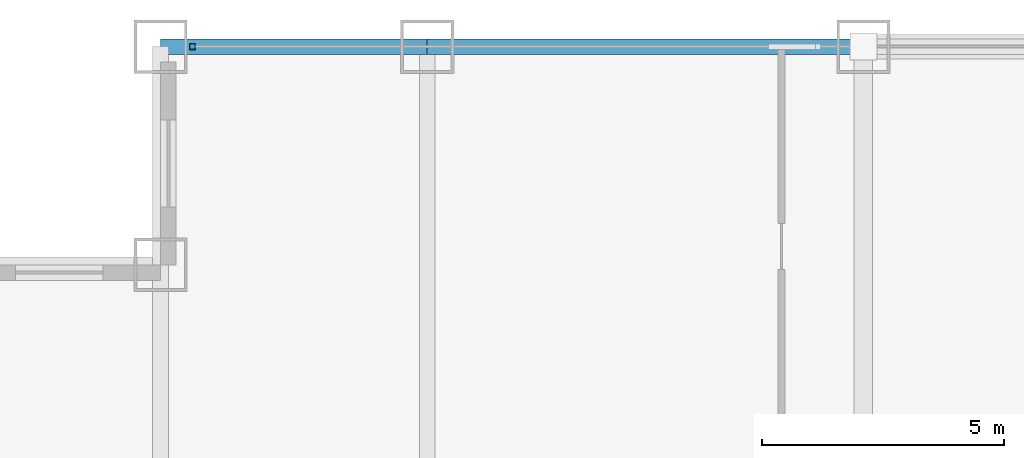
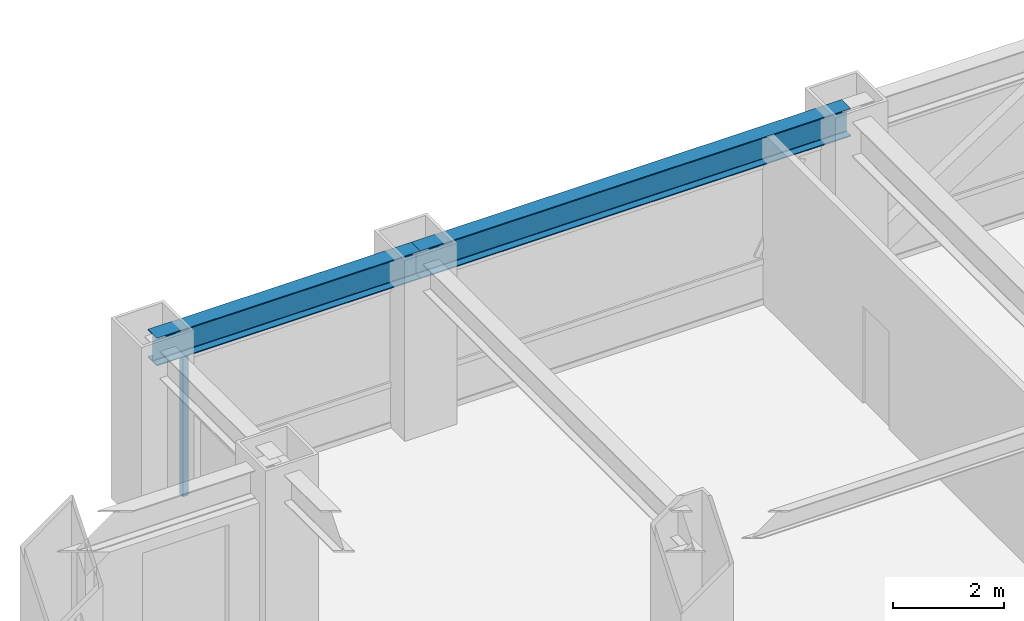
# One storey, part 14 of 24: 2 beams, 1 member, 1 element without a shape of its own.
"""IFC4 building model written with IfcOpenShell, lengths in metres."""

from ifc_helpers import new_model, si_unit, direction, frame, origin, origin_2d, place, context, subcontext, project, spatial, hollow_rectangle, i_section, extrude, source, transform, mapped, material, material_profile, profile_set, type_object, element, aggregate, save


model = new_model("IFC4")

# Units and contexts
model_context = context("Model", 3, precision=1e-05, world=origin(), true_north=direction((0.0, 1.0)))
body_context = subcontext(model_context, "Body", "Model", "MODEL_VIEW")
ifc_project = project(units=[si_unit("LENGTHUNIT", "METRE"), si_unit("AREAUNIT", "SQUARE_METRE"), si_unit("VOLUMEUNIT", "CUBIC_METRE"), si_unit("PLANEANGLEUNIT", "RADIAN"), si_unit("MASSUNIT", "GRAM", prefix="KILO")], contexts=[model_context])

# Site, building, storey
site_placement = place(None, origin())
site = spatial("IfcSite", under=ifc_project, at=site_placement, CompositionType="ELEMENT")
building_placement = place(site_placement, origin())
building = spatial("IfcBuilding", under=site, at=building_placement, Name="Khorayat Bourse Tower", CompositionType="ELEMENT")
storey_placement = place(building_placement, frame((0.0, 0.0, 175.10009765625)))
storey = spatial("IfcBuildingStorey", under=building, at=storey_placement, Name="L40", CompositionType="ELEMENT", Elevation=175.10009765625)

# Beams
ifc_material_1 = material(Name="Steel ASTM A992 Grade 50", Category="steel")
ifc_material_profile_1 = material_profile(ifc_material_1, i_section(OverallWidth=0.324951171875, OverallDepth=0.615966796875, WebThickness=0.013916015625, FlangeThickness=0.021484375, FilletRadius=0.01611328125, at=origin_2d()), Name="W610X174")
ifc_profile_set_1 = profile_set([ifc_material_profile_1], Name="Steel ASTM A992 Grade 50")
beam_type = type_object("IfcBeamType", Name="BM-SPAN-610", PredefinedType="SPANDREL", material=ifc_profile_set_1)
shared_shape_1 = source(origin(), body_context, "Body", "SweptSolid", [
    extrude(i_section(OverallWidth=0.324951171875, OverallDepth=0.615966796875, WebThickness=0.013916015625, FlangeThickness=0.021484375, FilletRadius=0.01611328125, at=origin_2d()), origin(), (0.0, 0.0, 1.0), 5.5),
])
beam_1_placement = place(storey_placement, frame((-25.5, 30.0, 3.471923828125), z_axis=(1.0, 0.0, 0.0), x_axis=(0.0, 1.0, 0.0)))
element("IfcBeam", 1, at=beam_1_placement, inside=storey, type_object=beam_type, Name="L40 BM-SPAN-610 BM-L40-SPN-051", PredefinedType="SPANDREL", context=body_context, shape_type="MappedRepresentation", body=[
    mapped(shared_shape_1, transform((0.0, 0.0, 0.0), scale=1.0)),
])
shared_shape_2 = source(origin(), body_context, "Body", "SweptSolid", [
    extrude(i_section(OverallWidth=0.324951171875, OverallDepth=0.615966796875, WebThickness=0.013916015625, FlangeThickness=0.021484375, FilletRadius=0.01611328125, at=origin_2d()), origin(), (0.0, 0.0, 1.0), 9.0),
])
beam_2_placement = place(storey_placement, frame((-20.0, 30.0, 3.471923828125), z_axis=(1.0, 0.0, 0.0), x_axis=(0.0, 1.0, 0.0)))
element("IfcBeam", 2, at=beam_2_placement, inside=storey, type_object=beam_type, Name="L40 BM-SPAN-610 BM-L40-SPN-050", PredefinedType="SPANDREL", context=body_context, shape_type="MappedRepresentation", body=[
    mapped(shared_shape_2, transform((0.0, 0.0, 0.0), scale=1.0)),
])

# Curtain wall, member
ifc_material_2 = material(Name="Aluminium EN AW-6063 T6", Category="aluminium")
curtain_wall_type = type_object("IfcCurtainWallType", Name="CW-SYS-03", PredefinedType="NOTDEFINED", material=ifc_material_2)
curtain_wall_placement = place(storey_placement, origin())
curtain_wall = element("IfcCurtainWall", 3, at=curtain_wall_placement, inside=storey, type_object=curtain_wall_type, Name="L40 Curtain Wall CW-L40-N1", PredefinedType="NOTDEFINED")
ifc_material_profile_2 = material_profile(ifc_material_2, hollow_rectangle(XDim=0.1201171875, YDim=0.1201171875, WallThickness=0.0048828125, at=origin_2d()), Name="ALU 120x120x5")
ifc_profile_set_2 = profile_set([ifc_material_profile_2], Name="Aluminium EN AW-6063 T6")
member_type = type_object("IfcMemberType", Name="CWM-VERT-120", PredefinedType="MULLION", material=ifc_profile_set_2)
shared_shape_3 = source(origin(), body_context, "Body", "SweptSolid", [
    extrude(hollow_rectangle(XDim=0.1201171875, YDim=0.1201171875, WallThickness=0.0048828125, at=origin_2d()), origin(), (0.0, 0.0, 1.0), 3.1298828125),
])
member_placement = place(storey_placement, frame((-24.840087890625, 30.0, 0.0), z_axis=(0.0, 0.0, 1.0), x_axis=(0.0, 1.0, 0.0)))
member = element("IfcMember", 4, at=member_placement, type_object=member_type, Name="CW-L40-N1 Vertical Mullion 1", PredefinedType="MULLION", context=body_context, shape_type="MappedRepresentation", body=[
    mapped(shared_shape_3, transform((0.0, 0.0, 0.0), scale=1.0)),
])
aggregate(curtain_wall, [member])

save(model, "model.ifc")
